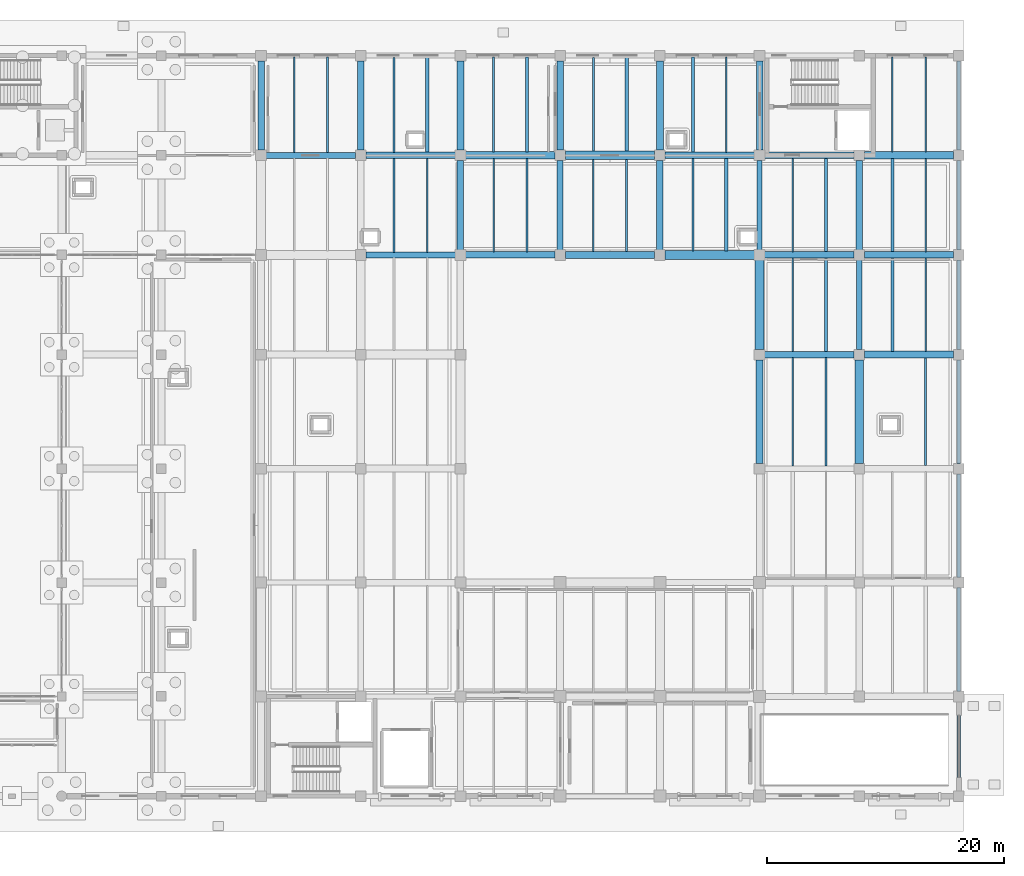
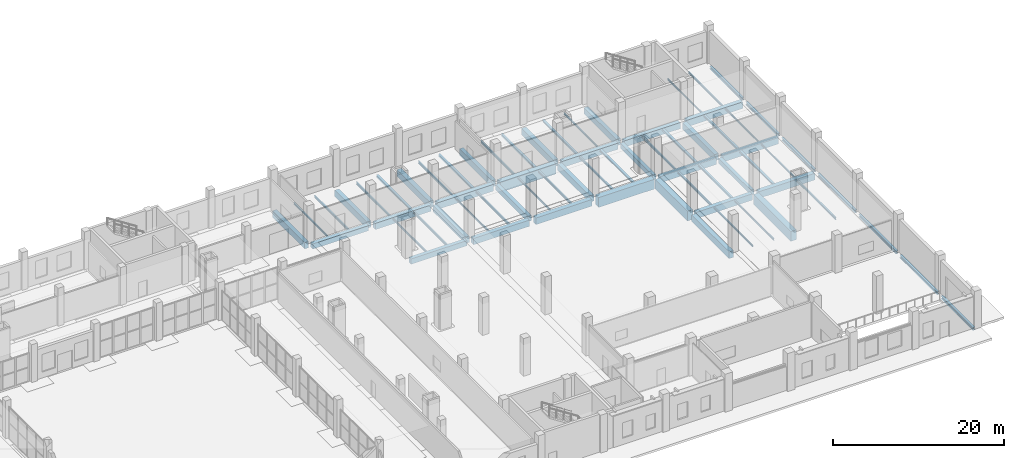
# One storey, part 28 of 65: 68 beams.
"""IFC4 building model written with IfcOpenShell, lengths in metres."""

from ifc_helpers import new_model, si_unit, direction, frame, origin, origin_2d, place, context, subcontext, project, spatial, rectangle, i_section, extrude, material, material_profile, profile_set, type_object, element, save


model = new_model("IFC4")

# Units and contexts
model_context = context("Model", 3, precision=1e-05, world=origin(), true_north=direction((0.0, 1.0)))
body_context = subcontext(model_context, "Body", "Model", "MODEL_VIEW")
ifc_project = project(units=[si_unit("LENGTHUNIT", "METRE"), si_unit("AREAUNIT", "SQUARE_METRE"), si_unit("VOLUMEUNIT", "CUBIC_METRE"), si_unit("PLANEANGLEUNIT", "RADIAN"), si_unit("MASSUNIT", "GRAM", prefix="KILO")], contexts=[model_context])

# Site, building, storey
site_placement = place(None, origin())
site = spatial("IfcSite", under=ifc_project, at=site_placement, CompositionType="ELEMENT")
building_placement = place(site_placement, origin())
building = spatial("IfcBuilding", under=site, at=building_placement, Name="Zulmaris Art Gallery", CompositionType="ELEMENT")
storey_placement = place(building_placement, origin())
storey = spatial("IfcBuildingStorey", under=building, at=storey_placement, Name="L00", CompositionType="ELEMENT", Elevation=0.0)

# Beams
ifc_material_1 = material(Name="Concrete C40/50", Category="concrete")
ifc_material_profile_1 = material_profile(ifc_material_1, rectangle(XDim=0.449951171875, YDim=0.699951171875, at=origin_2d()), Name="RC 450x700")
ifc_profile_set_1 = profile_set([ifc_material_profile_1], Name="Concrete C40/50")
beam_type_1 = type_object("IfcBeamType", Name="BEAM-BM19", PredefinedType="BEAM", material=ifc_profile_set_1)
beam_1_placement = place(storey_placement, frame((183.60009765625, 59.235107421875, -0.7548828125), z_axis=(0.0, 1.0, 0.0), x_axis=(-1.0, 0.0, 0.0)))
element("IfcBeam", 1, at=beam_1_placement, inside=storey, type_object=beam_type_1, Name="L00 Y-girder (x=183.6, 58.8..67.2)", PredefinedType="BEAM", context=body_context, shape_type="SweptSolid", body=[
    extrude(rectangle(XDim=0.449951171875, YDim=0.699951171875, at=origin_2d()), origin(), (0.0, 0.0, 1.0), 7.52978515625),
])
beam_2_placement = place(storey_placement, frame((192.0, 50.8349609375, -0.7548828125), z_axis=(0.0, 1.0, 0.0), x_axis=(-1.0, 0.0, 0.0)))
element("IfcBeam", 2, at=beam_2_placement, inside=storey, type_object=beam_type_1, Name="L00 Y-girder (x=192.0, 50.4..58.8)", PredefinedType="BEAM", context=body_context, shape_type="SweptSolid", body=[
    extrude(rectangle(XDim=0.449951171875, YDim=0.699951171875, at=origin_2d()), origin(), (0.0, 0.0, 1.0), 7.530029296875),
])
ifc_material_profile_2 = material_profile(ifc_material_1, rectangle(XDim=0.5, YDim=0.75, at=origin_2d()), Name="RC 500x750")
ifc_profile_set_2 = profile_set([ifc_material_profile_2], Name="Concrete C40/50")
beam_type_2 = type_object("IfcBeamType", Name="BEAM-BM20", PredefinedType="BEAM", material=ifc_profile_set_2)
for number, where, z_axis, x_axis, name in (
    (3, (150.43505859375, 58.800048828125, -0.780029296875), (1.0, 0.0, 0.0), (0.0, 1.0, 0.0), "L00 X-girder (150.0..158.4, y=58.8)"),
    (4, (142.034912109375, 67.199951171875, -0.780029296875), (1.0, 0.0, 0.0), (0.0, 1.0, 0.0), "L00 X-girder (141.6..150.0, y=67.2)"),
):
    element("IfcBeam", number, at=place(storey_placement, frame(where, z_axis=z_axis, x_axis=x_axis)), inside=storey, type_object=beam_type_2, Name=name, PredefinedType="BEAM", context=body_context, shape_type="SweptSolid", body=[
        extrude(rectangle(XDim=0.5, YDim=0.75, at=origin_2d()), origin(), (0.0, 0.0, 1.0), 7.530029296875),
    ])
beam_3_placement = place(storey_placement, frame((166.800048828125, 59.235107421875, -0.780029296875), z_axis=(0.0, 1.0, 0.0), x_axis=(-1.0, 0.0, 0.0)))
element("IfcBeam", 5, at=beam_3_placement, inside=storey, type_object=beam_type_2, Name="L00 Y-girder (x=166.8, 58.8..67.2)", PredefinedType="BEAM", context=body_context, shape_type="SweptSolid", body=[
    extrude(rectangle(XDim=0.5, YDim=0.75, at=origin_2d()), origin(), (0.0, 0.0, 1.0), 7.52978515625),
])
ifc_material_profile_3 = material_profile(ifc_material_1, rectangle(XDim=0.550048828125, YDim=0.89990234375, at=origin_2d()), Name="RC 550x900")
ifc_profile_set_3 = profile_set([ifc_material_profile_3], Name="Concrete C40/50")
beam_type_3 = type_object("IfcBeamType", Name="BEAM-BM21", PredefinedType="BEAM", material=ifc_profile_set_3)
for number, where, z_axis, x_axis, name in (
    (6, (184.034912109375, 50.39990234375, -0.860107421875), (1.0, 0.0, 0.0), (0.0, 1.0, 0.0), "L00 X-girder (183.6..192.0, y=50.4)"),
    (7, (158.8349609375, 58.800048828125, -0.860107421875), (1.0, 0.0, 0.0), (0.0, 1.0, 0.0), "L00 X-girder (158.4..166.8, y=58.8)"),
    (8, (184.034912109375, 58.800048828125, -0.85498046875), (1.0, 0.0, 0.0), (0.0, 1.0, 0.0), "L00 X-girder (183.6..192.0, y=58.8)"),
    (9, (192.43505859375, 58.800048828125, -0.860107421875), (1.0, 0.0, 0.0), (0.0, 1.0, 0.0), "L00 X-girder (192.0..200.4, y=58.8)"),
    (10, (150.43505859375, 67.199951171875, -0.860107421875), (1.0, 0.0, 0.0), (0.0, 1.0, 0.0), "L00 X-girder (150.0..158.4, y=67.2)"),
    (11, (175.635009765625, 67.199951171875, -0.85498046875), (1.0, 0.0, 0.0), (0.0, 1.0, 0.0), "L00 X-girder (175.2..183.6, y=67.2)"),
    (12, (184.034912109375, 67.199951171875, -0.860107421875), (1.0, 0.0, 0.0), (0.0, 1.0, 0.0), "L00 X-girder (183.6..192.0, y=67.2)"),
    (13, (141.60009765625, 67.635009765625, -0.85498046875), (0.0, 1.0, 0.0), (-1.0, 0.0, 0.0), "L00 Y-girder (x=141.6, 67.2..75.6)"),
    (14, (150.0, 67.635009765625, -0.860107421875), (0.0, 1.0, 0.0), (-1.0, 0.0, 0.0), "L00 Y-girder (x=150.0, 67.2..75.6)"),
):
    element("IfcBeam", number, at=place(storey_placement, frame(where, z_axis=z_axis, x_axis=x_axis)), inside=storey, type_object=beam_type_3, Name=name, PredefinedType="BEAM", context=body_context, shape_type="SweptSolid", body=[
        extrude(rectangle(XDim=0.550048828125, YDim=0.89990234375, at=origin_2d()), origin(), (0.0, 0.0, 1.0), 7.530029296875),
    ])
beam_4_placement = place(storey_placement, frame((158.39990234375, 59.235107421875, -0.860107421875), z_axis=(0.0, 1.0, 0.0), x_axis=(-1.0, 0.0, 0.0)))
element("IfcBeam", 15, at=beam_4_placement, inside=storey, type_object=beam_type_3, Name="L00 Y-girder (x=158.4, 58.8..67.2)", PredefinedType="BEAM", context=body_context, shape_type="SweptSolid", body=[
    extrude(rectangle(XDim=0.550048828125, YDim=0.89990234375, at=origin_2d()), origin(), (0.0, 0.0, 1.0), 7.52978515625),
])
beam_5_placement = place(storey_placement, frame((166.800048828125, 67.635009765625, -0.860107421875), z_axis=(0.0, 1.0, 0.0), x_axis=(-1.0, 0.0, 0.0)))
element("IfcBeam", 16, at=beam_5_placement, inside=storey, type_object=beam_type_3, Name="L00 Y-girder (x=166.8, 67.2..75.6)", PredefinedType="BEAM", context=body_context, shape_type="SweptSolid", body=[
    extrude(rectangle(XDim=0.550048828125, YDim=0.89990234375, at=origin_2d()), origin(), (0.0, 0.0, 1.0), 7.530029296875),
])
beam_6_placement = place(storey_placement, frame((175.199951171875, 59.235107421875, -0.860107421875), z_axis=(0.0, 1.0, 0.0), x_axis=(-1.0, 0.0, 0.0)))
element("IfcBeam", 17, at=beam_6_placement, inside=storey, type_object=beam_type_3, Name="L00 Y-girder (x=175.2, 58.8..67.2)", PredefinedType="BEAM", context=body_context, shape_type="SweptSolid", body=[
    extrude(rectangle(XDim=0.550048828125, YDim=0.89990234375, at=origin_2d()), origin(), (0.0, 0.0, 1.0), 7.52978515625),
])
beam_7_placement = place(storey_placement, frame((183.60009765625, 67.635009765625, -0.860107421875), z_axis=(0.0, 1.0, 0.0), x_axis=(-1.0, 0.0, 0.0)))
element("IfcBeam", 18, at=beam_7_placement, inside=storey, type_object=beam_type_3, Name="L00 Y-girder (x=183.6, 67.2..75.6)", PredefinedType="BEAM", context=body_context, shape_type="SweptSolid", body=[
    extrude(rectangle(XDim=0.550048828125, YDim=0.89990234375, at=origin_2d()), origin(), (0.0, 0.0, 1.0), 7.530029296875),
])
beam_8_placement = place(storey_placement, frame((192.0, 59.235107421875, -0.860107421875), z_axis=(0.0, 1.0, 0.0), x_axis=(-1.0, 0.0, 0.0)))
element("IfcBeam", 19, at=beam_8_placement, inside=storey, type_object=beam_type_3, Name="L00 Y-girder (x=192.0, 58.8..67.2)", PredefinedType="BEAM", context=body_context, shape_type="SweptSolid", body=[
    extrude(rectangle(XDim=0.550048828125, YDim=0.89990234375, at=origin_2d()), origin(), (0.0, 0.0, 1.0), 7.52978515625),
])
ifc_material_profile_4 = material_profile(ifc_material_1, rectangle(XDim=0.60009765625, YDim=0.949951171875, at=origin_2d()), Name="RC 600x950")
ifc_profile_set_4 = profile_set([ifc_material_profile_4], Name="Concrete C40/50")
beam_type_4 = type_object("IfcBeamType", Name="BEAM-BM22", PredefinedType="BEAM", material=ifc_profile_set_4)
beam_9_placement = place(storey_placement, frame((192.43505859375, 50.39990234375, -0.885009765625), z_axis=(1.0, 0.0, 0.0), x_axis=(0.0, 1.0, 0.0)))
element("IfcBeam", 20, at=beam_9_placement, inside=storey, type_object=beam_type_4, Name="L00 X-girder (192.0..200.4, y=50.4)", PredefinedType="BEAM", context=body_context, shape_type="SweptSolid", body=[
    extrude(rectangle(XDim=0.60009765625, YDim=0.949951171875, at=origin_2d()), origin(), (0.0, 0.0, 1.0), 7.530029296875),
])
beam_10_placement = place(storey_placement, frame((167.235107421875, 58.800048828125, -0.885009765625), z_axis=(1.0, 0.0, 0.0), x_axis=(0.0, 1.0, 0.0)))
element("IfcBeam", 21, at=beam_10_placement, inside=storey, type_object=beam_type_4, Name="L00 X-girder (166.8..175.2, y=58.8)", PredefinedType="BEAM", context=body_context, shape_type="SweptSolid", body=[
    extrude(rectangle(XDim=0.60009765625, YDim=0.949951171875, at=origin_2d()), origin(), (0.0, 0.0, 1.0), 7.52978515625),
])
for number, where, z_axis, x_axis, name in (
    (22, (158.8349609375, 67.199951171875, -0.885009765625), (1.0, 0.0, 0.0), (0.0, 1.0, 0.0), "L00 X-girder (158.4..166.8, y=67.2)"),
    (23, (192.43505859375, 67.199951171875, -0.885009765625), (1.0, 0.0, 0.0), (0.0, 1.0, 0.0), "L00 X-girder (192.0..200.4, y=67.2)"),
    (24, (158.39990234375, 67.635009765625, -0.885009765625), (0.0, 1.0, 0.0), (-1.0, 0.0, 0.0), "L00 Y-girder (x=158.4, 67.2..75.6)"),
    (25, (175.199951171875, 67.635009765625, -0.885009765625), (0.0, 1.0, 0.0), (-1.0, 0.0, 0.0), "L00 Y-girder (x=175.2, 67.2..75.6)"),
):
    element("IfcBeam", number, at=place(storey_placement, frame(where, z_axis=z_axis, x_axis=x_axis)), inside=storey, type_object=beam_type_4, Name=name, PredefinedType="BEAM", context=body_context, shape_type="SweptSolid", body=[
        extrude(rectangle(XDim=0.60009765625, YDim=0.949951171875, at=origin_2d()), origin(), (0.0, 0.0, 1.0), 7.530029296875),
    ])
beam_11_placement = place(storey_placement, frame((183.60009765625, 41.235107421875, -0.885009765625), z_axis=(0.0, 1.0, 0.0), x_axis=(-1.0, 0.0, 0.0)))
element("IfcBeam", 26, at=beam_11_placement, inside=storey, type_object=beam_type_4, Name="L00 Y-girder (x=183.6, 40.8..50.4)", PredefinedType="BEAM", context=body_context, shape_type="SweptSolid", body=[
    extrude(rectangle(XDim=0.60009765625, YDim=0.949951171875, at=origin_2d()), origin(), (0.0, 0.0, 1.0), 8.72998046875),
])
ifc_material_2 = material(Name="Concrete C50/60", Category="concrete")
ifc_material_profile_5 = material_profile(ifc_material_2, rectangle(XDim=0.75, YDim=1.39990234375, at=origin_2d()), Name="RC 750x1400")
ifc_profile_set_5 = profile_set([ifc_material_profile_5], Name="Concrete C50/60")
beam_type_5 = type_object("IfcBeamType", Name="BEAM-BM23", PredefinedType="BEAM", material=ifc_profile_set_5)
beam_12_placement = place(storey_placement, frame((175.635009765625, 58.800048828125, -1.110107421875), z_axis=(1.0, 0.0, 0.0), x_axis=(0.0, 1.0, 0.0)))
element("IfcBeam", 27, at=beam_12_placement, inside=storey, type_object=beam_type_5, Name="L00 X-girder (175.2..183.6, y=58.8)", PredefinedType="BEAM", context=body_context, shape_type="SweptSolid", body=[
    extrude(rectangle(XDim=0.75, YDim=1.39990234375, at=origin_2d()), origin(), (0.0, 0.0, 1.0), 7.530029296875),
])
beam_13_placement = place(storey_placement, frame((167.235107421875, 67.199951171875, -1.110107421875), z_axis=(1.0, 0.0, 0.0), x_axis=(0.0, 1.0, 0.0)))
element("IfcBeam", 28, at=beam_13_placement, inside=storey, type_object=beam_type_5, Name="L00 X-girder (166.8..175.2, y=67.2)", PredefinedType="BEAM", context=body_context, shape_type="SweptSolid", body=[
    extrude(rectangle(XDim=0.75, YDim=1.39990234375, at=origin_2d()), origin(), (0.0, 0.0, 1.0), 7.52978515625),
])
beam_14_placement = place(storey_placement, frame((183.60009765625, 50.8349609375, -1.110107421875), z_axis=(0.0, 1.0, 0.0), x_axis=(-1.0, 0.0, 0.0)))
element("IfcBeam", 29, at=beam_14_placement, inside=storey, type_object=beam_type_5, Name="L00 Y-girder (x=183.6, 50.4..58.8)", PredefinedType="BEAM", context=body_context, shape_type="SweptSolid", body=[
    extrude(rectangle(XDim=0.75, YDim=1.39990234375, at=origin_2d()), origin(), (0.0, 0.0, 1.0), 7.530029296875),
])
beam_15_placement = place(storey_placement, frame((192.0, 41.235107421875, -1.110107421875), z_axis=(0.0, 1.0, 0.0), x_axis=(-1.0, 0.0, 0.0)))
element("IfcBeam", 30, at=beam_15_placement, inside=storey, type_object=beam_type_5, Name="L00 Y-girder (x=192.0, 40.8..50.4)", PredefinedType="BEAM", context=body_context, shape_type="SweptSolid", body=[
    extrude(rectangle(XDim=0.75, YDim=1.39990234375, at=origin_2d()), origin(), (0.0, 0.0, 1.0), 8.72998046875),
])
ifc_material_3 = material(Name="Steel S355J2", Category="steel")
ifc_material_profile_6 = material_profile(ifc_material_3, i_section(OverallWidth=0.1201171875, OverallDepth=0.239990234375, WebThickness=0.006103515625, FlangeThickness=0.009765625, FilletRadius=0.014892578125, at=origin_2d()), Name="IPE 240")
ifc_profile_set_6 = profile_set([ifc_material_profile_6], Name="Steel S355J2")
beam_type_6 = type_object("IfcBeamType", Name="BEAM-JS01", PredefinedType="JOIST", material=ifc_profile_set_6)
beam_16_placement = place(storey_placement, frame((180.800048828125, 67.449951171875, -0.530029296875), z_axis=(0.0, 1.0, 0.0), x_axis=(-1.0, 0.0, 0.0)))
element("IfcBeam", 31, at=beam_16_placement, inside=storey, type_object=beam_type_6, Name="L00 secondary joist at x=180.8", PredefinedType="JOIST", context=body_context, shape_type="SweptSolid", body=[
    extrude(i_section(OverallWidth=0.1201171875, OverallDepth=0.239990234375, WebThickness=0.006103515625, FlangeThickness=0.009765625, FilletRadius=0.014892578125, at=origin_2d()), origin(), (0.0, 0.0, 1.0), 8.025146484375),
])
beam_17_placement = place(storey_placement, frame((186.39990234375, 41.0, -0.530029296875), z_axis=(0.0, 1.0, 0.0), x_axis=(-1.0, 0.0, 0.0)))
element("IfcBeam", 32, at=beam_17_placement, inside=storey, type_object=beam_type_6, Name="L00 secondary joist at x=186.4", PredefinedType="JOIST", context=body_context, shape_type="SweptSolid", body=[
    extrude(i_section(OverallWidth=0.1201171875, OverallDepth=0.239990234375, WebThickness=0.006103515625, FlangeThickness=0.009765625, FilletRadius=0.014892578125, at=origin_2d()), origin(), (0.0, 0.0, 1.0), 9.14990234375),
])
for number, where, z_axis, x_axis, name in (
    (33, (197.60009765625, 50.675048828125, -0.530029296875), (0.0, 1.0, 0.0), (-1.0, 0.0, 0.0), "L00 secondary joist at x=197.6"),
    (34, (197.60009765625, 59.050048828125, -0.530029296875), (0.0, 1.0, 0.0), (-1.0, 0.0, 0.0), "L00 secondary joist at x=197.6"),
):
    element("IfcBeam", number, at=place(storey_placement, frame(where, z_axis=z_axis, x_axis=x_axis)), inside=storey, type_object=beam_type_6, Name=name, PredefinedType="JOIST", context=body_context, shape_type="SweptSolid", body=[
        extrude(i_section(OverallWidth=0.1201171875, OverallDepth=0.239990234375, WebThickness=0.006103515625, FlangeThickness=0.009765625, FilletRadius=0.014892578125, at=origin_2d()), origin(), (0.0, 0.0, 1.0), 7.875),
    ])
beam_18_placement = place(storey_placement, frame((194.800048828125, 67.47509765625, -0.530029296875), z_axis=(0.0, 1.0, 0.0), x_axis=(-1.0, 0.0, 0.0)))
element("IfcBeam", 35, at=beam_18_placement, inside=storey, type_object=beam_type_6, Name="L00 secondary joist at x=194.8", PredefinedType="JOIST", context=body_context, shape_type="SweptSolid", body=[
    extrude(i_section(OverallWidth=0.1201171875, OverallDepth=0.239990234375, WebThickness=0.006103515625, FlangeThickness=0.009765625, FilletRadius=0.014892578125, at=origin_2d()), origin(), (0.0, 0.0, 1.0), 8.0),
])
ifc_material_profile_7 = material_profile(ifc_material_3, i_section(OverallWidth=0.135009765625, OverallDepth=0.27001953125, WebThickness=0.006591796875, FlangeThickness=0.01025390625, FilletRadius=0.014892578125, at=origin_2d()), Name="IPE 270")
ifc_profile_set_7 = profile_set([ifc_material_profile_7], Name="Steel S355J2")
beam_type_7 = type_object("IfcBeamType", Name="BEAM-JS02", PredefinedType="JOIST", material=ifc_profile_set_7)
beam_19_placement = place(storey_placement, frame((144.39990234375, 67.425048828125, -0.544921875), z_axis=(0.0, 1.0, 0.0), x_axis=(-1.0, 0.0, 0.0)))
element("IfcBeam", 36, at=beam_19_placement, inside=storey, type_object=beam_type_7, Name="L00 secondary joist at x=144.4", PredefinedType="JOIST", context=body_context, shape_type="SweptSolid", body=[
    extrude(i_section(OverallWidth=0.135009765625, OverallDepth=0.27001953125, WebThickness=0.006591796875, FlangeThickness=0.01025390625, FilletRadius=0.014892578125, at=origin_2d()), origin(), (0.0, 0.0, 1.0), 8.050048828125),
])
beam_20_placement = place(storey_placement, frame((152.800048828125, 59.02490234375, -0.544921875), z_axis=(0.0, 1.0, 0.0), x_axis=(-1.0, 0.0, 0.0)))
element("IfcBeam", 37, at=beam_20_placement, inside=storey, type_object=beam_type_7, Name="L00 secondary joist at x=152.8", PredefinedType="JOIST", context=body_context, shape_type="SweptSolid", body=[
    extrude(i_section(OverallWidth=0.135009765625, OverallDepth=0.27001953125, WebThickness=0.006591796875, FlangeThickness=0.01025390625, FilletRadius=0.014892578125, at=origin_2d()), origin(), (0.0, 0.0, 1.0), 7.925048828125),
])
beam_21_placement = place(storey_placement, frame((161.199951171875, 59.050048828125, -0.544921875), z_axis=(0.0, 1.0, 0.0), x_axis=(-1.0, 0.0, 0.0)))
element("IfcBeam", 38, at=beam_21_placement, inside=storey, type_object=beam_type_7, Name="L00 secondary joist at x=161.2", PredefinedType="JOIST", context=body_context, shape_type="SweptSolid", body=[
    extrude(i_section(OverallWidth=0.135009765625, OverallDepth=0.27001953125, WebThickness=0.006591796875, FlangeThickness=0.01025390625, FilletRadius=0.014892578125, at=origin_2d()), origin(), (0.0, 0.0, 1.0), 7.875),
])
beam_22_placement = place(storey_placement, frame((169.60009765625, 59.074951171875, -0.544921875), z_axis=(0.0, 1.0, 0.0), x_axis=(-1.0, 0.0, 0.0)))
element("IfcBeam", 39, at=beam_22_placement, inside=storey, type_object=beam_type_7, Name="L00 secondary joist at x=169.6", PredefinedType="JOIST", context=body_context, shape_type="SweptSolid", body=[
    extrude(i_section(OverallWidth=0.135009765625, OverallDepth=0.27001953125, WebThickness=0.006591796875, FlangeThickness=0.01025390625, FilletRadius=0.014892578125, at=origin_2d()), origin(), (0.0, 0.0, 1.0), 7.775146484375),
])
beam_23_placement = place(storey_placement, frame((189.199951171875, 41.0, -0.544921875), z_axis=(0.0, 1.0, 0.0), x_axis=(-1.0, 0.0, 0.0)))
element("IfcBeam", 40, at=beam_23_placement, inside=storey, type_object=beam_type_7, Name="L00 secondary joist at x=189.2", PredefinedType="JOIST", context=body_context, shape_type="SweptSolid", body=[
    extrude(i_section(OverallWidth=0.135009765625, OverallDepth=0.27001953125, WebThickness=0.006591796875, FlangeThickness=0.01025390625, FilletRadius=0.014892578125, at=origin_2d()), origin(), (0.0, 0.0, 1.0), 9.14990234375),
])
beam_24_placement = place(storey_placement, frame((197.60009765625, 67.47509765625, -0.544921875), z_axis=(0.0, 1.0, 0.0), x_axis=(-1.0, 0.0, 0.0)))
element("IfcBeam", 41, at=beam_24_placement, inside=storey, type_object=beam_type_7, Name="L00 secondary joist at x=197.6", PredefinedType="JOIST", context=body_context, shape_type="SweptSolid", body=[
    extrude(i_section(OverallWidth=0.135009765625, OverallDepth=0.27001953125, WebThickness=0.006591796875, FlangeThickness=0.01025390625, FilletRadius=0.014892578125, at=origin_2d()), origin(), (0.0, 0.0, 1.0), 8.0),
])
ifc_material_profile_8 = material_profile(ifc_material_3, i_section(OverallWidth=0.159912109375, OverallDepth=0.330078125, WebThickness=0.007568359375, FlangeThickness=0.011474609375, FilletRadius=0.01806640625, at=origin_2d()), Name="IPE 330")
ifc_profile_set_8 = profile_set([ifc_material_profile_8], Name="Steel S355J2")
beam_type_8 = type_object("IfcBeamType", Name="BEAM-JS03", PredefinedType="JOIST", material=ifc_profile_set_8)
beam_25_placement = place(storey_placement, frame((147.199951171875, 67.425048828125, -0.574951171875), z_axis=(0.0, 1.0, 0.0), x_axis=(-1.0, 0.0, 0.0)))
element("IfcBeam", 42, at=beam_25_placement, inside=storey, type_object=beam_type_8, Name="L00 secondary joist at x=147.2", PredefinedType="JOIST", context=body_context, shape_type="SweptSolid", body=[
    extrude(i_section(OverallWidth=0.159912109375, OverallDepth=0.330078125, WebThickness=0.007568359375, FlangeThickness=0.011474609375, FilletRadius=0.01806640625, at=origin_2d()), origin(), (0.0, 0.0, 1.0), 8.050048828125),
])
beam_26_placement = place(storey_placement, frame((155.60009765625, 59.02490234375, -0.574951171875), z_axis=(0.0, 1.0, 0.0), x_axis=(-1.0, 0.0, 0.0)))
element("IfcBeam", 43, at=beam_26_placement, inside=storey, type_object=beam_type_8, Name="L00 secondary joist at x=155.6", PredefinedType="JOIST", context=body_context, shape_type="SweptSolid", body=[
    extrude(i_section(OverallWidth=0.159912109375, OverallDepth=0.330078125, WebThickness=0.007568359375, FlangeThickness=0.011474609375, FilletRadius=0.01806640625, at=origin_2d()), origin(), (0.0, 0.0, 1.0), 7.925048828125),
])
beam_27_placement = place(storey_placement, frame((152.800048828125, 67.449951171875, -0.574951171875), z_axis=(0.0, 1.0, 0.0), x_axis=(-1.0, 0.0, 0.0)))
element("IfcBeam", 44, at=beam_27_placement, inside=storey, type_object=beam_type_8, Name="L00 secondary joist at x=152.8", PredefinedType="JOIST", context=body_context, shape_type="SweptSolid", body=[
    extrude(i_section(OverallWidth=0.159912109375, OverallDepth=0.330078125, WebThickness=0.007568359375, FlangeThickness=0.011474609375, FilletRadius=0.01806640625, at=origin_2d()), origin(), (0.0, 0.0, 1.0), 7.97509765625),
])
beam_28_placement = place(storey_placement, frame((164.0, 59.050048828125, -0.574951171875), z_axis=(0.0, 1.0, 0.0), x_axis=(-1.0, 0.0, 0.0)))
element("IfcBeam", 45, at=beam_28_placement, inside=storey, type_object=beam_type_8, Name="L00 secondary joist at x=164.0", PredefinedType="JOIST", context=body_context, shape_type="SweptSolid", body=[
    extrude(i_section(OverallWidth=0.159912109375, OverallDepth=0.330078125, WebThickness=0.007568359375, FlangeThickness=0.011474609375, FilletRadius=0.01806640625, at=origin_2d()), origin(), (0.0, 0.0, 1.0), 7.875),
])
beam_29_placement = place(storey_placement, frame((161.199951171875, 67.47509765625, -0.574951171875), z_axis=(0.0, 1.0, 0.0), x_axis=(-1.0, 0.0, 0.0)))
element("IfcBeam", 46, at=beam_29_placement, inside=storey, type_object=beam_type_8, Name="L00 secondary joist at x=161.2", PredefinedType="JOIST", context=body_context, shape_type="SweptSolid", body=[
    extrude(i_section(OverallWidth=0.159912109375, OverallDepth=0.330078125, WebThickness=0.007568359375, FlangeThickness=0.011474609375, FilletRadius=0.01806640625, at=origin_2d()), origin(), (0.0, 0.0, 1.0), 8.0),
])
beam_30_placement = place(storey_placement, frame((172.39990234375, 59.074951171875, -0.574951171875), z_axis=(0.0, 1.0, 0.0), x_axis=(-1.0, 0.0, 0.0)))
element("IfcBeam", 47, at=beam_30_placement, inside=storey, type_object=beam_type_8, Name="L00 secondary joist at x=172.4", PredefinedType="JOIST", context=body_context, shape_type="SweptSolid", body=[
    extrude(i_section(OverallWidth=0.159912109375, OverallDepth=0.330078125, WebThickness=0.007568359375, FlangeThickness=0.011474609375, FilletRadius=0.01806640625, at=origin_2d()), origin(), (0.0, 0.0, 1.0), 7.775146484375),
])
beam_31_placement = place(storey_placement, frame((169.60009765625, 67.550048828125, -0.574951171875), z_axis=(0.0, 1.0, 0.0), x_axis=(-1.0, 0.0, 0.0)))
element("IfcBeam", 48, at=beam_31_placement, inside=storey, type_object=beam_type_8, Name="L00 secondary joist at x=169.6", PredefinedType="JOIST", context=body_context, shape_type="SweptSolid", body=[
    extrude(i_section(OverallWidth=0.159912109375, OverallDepth=0.330078125, WebThickness=0.007568359375, FlangeThickness=0.011474609375, FilletRadius=0.01806640625, at=origin_2d()), origin(), (0.0, 0.0, 1.0), 7.875),
])
beam_32_placement = place(storey_placement, frame((178.0, 59.14990234375, -0.574951171875), z_axis=(0.0, 1.0, 0.0), x_axis=(-1.0, 0.0, 0.0)))
element("IfcBeam", 49, at=beam_32_placement, inside=storey, type_object=beam_type_8, Name="L00 secondary joist at x=178.0", PredefinedType="JOIST", context=body_context, shape_type="SweptSolid", body=[
    extrude(i_section(OverallWidth=0.159912109375, OverallDepth=0.330078125, WebThickness=0.007568359375, FlangeThickness=0.011474609375, FilletRadius=0.01806640625, at=origin_2d()), origin(), (0.0, 0.0, 1.0), 7.800048828125),
])
beam_33_placement = place(storey_placement, frame((186.39990234375, 50.64990234375, -0.574951171875), z_axis=(0.0, 1.0, 0.0), x_axis=(-1.0, 0.0, 0.0)))
element("IfcBeam", 50, at=beam_33_placement, inside=storey, type_object=beam_type_8, Name="L00 secondary joist at x=186.4", PredefinedType="JOIST", context=body_context, shape_type="SweptSolid", body=[
    extrude(i_section(OverallWidth=0.159912109375, OverallDepth=0.330078125, WebThickness=0.007568359375, FlangeThickness=0.011474609375, FilletRadius=0.01806640625, at=origin_2d()), origin(), (0.0, 0.0, 1.0), 7.900146484375),
])
beam_34_placement = place(storey_placement, frame((186.39990234375, 59.050048828125, -0.574951171875), z_axis=(0.0, 1.0, 0.0), x_axis=(-1.0, 0.0, 0.0)))
element("IfcBeam", 51, at=beam_34_placement, inside=storey, type_object=beam_type_8, Name="L00 secondary joist at x=186.4", PredefinedType="JOIST", context=body_context, shape_type="SweptSolid", body=[
    extrude(i_section(OverallWidth=0.159912109375, OverallDepth=0.330078125, WebThickness=0.007568359375, FlangeThickness=0.011474609375, FilletRadius=0.01806640625, at=origin_2d()), origin(), (0.0, 0.0, 1.0), 7.89990234375),
])
beam_35_placement = place(storey_placement, frame((197.60009765625, 41.050048828125, -0.574951171875), z_axis=(0.0, 1.0, 0.0), x_axis=(-1.0, 0.0, 0.0)))
element("IfcBeam", 52, at=beam_35_placement, inside=storey, type_object=beam_type_8, Name="L00 secondary joist at x=197.6", PredefinedType="JOIST", context=body_context, shape_type="SweptSolid", body=[
    extrude(i_section(OverallWidth=0.159912109375, OverallDepth=0.330078125, WebThickness=0.007568359375, FlangeThickness=0.011474609375, FilletRadius=0.01806640625, at=origin_2d()), origin(), (0.0, 0.0, 1.0), 9.074951171875),
])
ifc_material_profile_9 = material_profile(ifc_material_3, i_section(OverallWidth=0.280029296875, OverallDepth=0.27001953125, WebThickness=0.008056640625, FlangeThickness=0.012939453125, FilletRadius=0.02392578125, at=origin_2d()), Name="HEA 280")
ifc_profile_set_9 = profile_set([ifc_material_profile_9], Name="Steel S355J2")
beam_type_9 = type_object("IfcBeamType", Name="BEAM-JS04", PredefinedType="JOIST", material=ifc_profile_set_9)
beam_36_placement = place(storey_placement, frame((155.60009765625, 67.449951171875, -0.544921875), z_axis=(0.0, 1.0, 0.0), x_axis=(-1.0, 0.0, 0.0)))
element("IfcBeam", 53, at=beam_36_placement, inside=storey, type_object=beam_type_9, Name="L00 secondary joist at x=155.6", PredefinedType="JOIST", context=body_context, shape_type="SweptSolid", body=[
    extrude(i_section(OverallWidth=0.280029296875, OverallDepth=0.27001953125, WebThickness=0.008056640625, FlangeThickness=0.012939453125, FilletRadius=0.02392578125, at=origin_2d()), origin(), (0.0, 0.0, 1.0), 7.97509765625),
])
beam_37_placement = place(storey_placement, frame((164.0, 67.47509765625, -0.544921875), z_axis=(0.0, 1.0, 0.0), x_axis=(-1.0, 0.0, 0.0)))
element("IfcBeam", 54, at=beam_37_placement, inside=storey, type_object=beam_type_9, Name="L00 secondary joist at x=164.0", PredefinedType="JOIST", context=body_context, shape_type="SweptSolid", body=[
    extrude(i_section(OverallWidth=0.280029296875, OverallDepth=0.27001953125, WebThickness=0.008056640625, FlangeThickness=0.012939453125, FilletRadius=0.02392578125, at=origin_2d()), origin(), (0.0, 0.0, 1.0), 8.0),
])
beam_38_placement = place(storey_placement, frame((172.39990234375, 67.550048828125, -0.544921875), z_axis=(0.0, 1.0, 0.0), x_axis=(-1.0, 0.0, 0.0)))
element("IfcBeam", 55, at=beam_38_placement, inside=storey, type_object=beam_type_9, Name="L00 secondary joist at x=172.4", PredefinedType="JOIST", context=body_context, shape_type="SweptSolid", body=[
    extrude(i_section(OverallWidth=0.280029296875, OverallDepth=0.27001953125, WebThickness=0.008056640625, FlangeThickness=0.012939453125, FilletRadius=0.02392578125, at=origin_2d()), origin(), (0.0, 0.0, 1.0), 7.875),
])
beam_39_placement = place(storey_placement, frame((180.800048828125, 59.14990234375, -0.544921875), z_axis=(0.0, 1.0, 0.0), x_axis=(-1.0, 0.0, 0.0)))
element("IfcBeam", 56, at=beam_39_placement, inside=storey, type_object=beam_type_9, Name="L00 secondary joist at x=180.8", PredefinedType="JOIST", context=body_context, shape_type="SweptSolid", body=[
    extrude(i_section(OverallWidth=0.280029296875, OverallDepth=0.27001953125, WebThickness=0.008056640625, FlangeThickness=0.012939453125, FilletRadius=0.02392578125, at=origin_2d()), origin(), (0.0, 0.0, 1.0), 7.800048828125),
])
beam_40_placement = place(storey_placement, frame((178.0, 67.449951171875, -0.544921875), z_axis=(0.0, 1.0, 0.0), x_axis=(-1.0, 0.0, 0.0)))
element("IfcBeam", 57, at=beam_40_placement, inside=storey, type_object=beam_type_9, Name="L00 secondary joist at x=178.0", PredefinedType="JOIST", context=body_context, shape_type="SweptSolid", body=[
    extrude(i_section(OverallWidth=0.280029296875, OverallDepth=0.27001953125, WebThickness=0.008056640625, FlangeThickness=0.012939453125, FilletRadius=0.02392578125, at=origin_2d()), origin(), (0.0, 0.0, 1.0), 8.025146484375),
])
beam_41_placement = place(storey_placement, frame((189.199951171875, 50.64990234375, -0.544921875), z_axis=(0.0, 1.0, 0.0), x_axis=(-1.0, 0.0, 0.0)))
element("IfcBeam", 58, at=beam_41_placement, inside=storey, type_object=beam_type_9, Name="L00 secondary joist at x=189.2", PredefinedType="JOIST", context=body_context, shape_type="SweptSolid", body=[
    extrude(i_section(OverallWidth=0.280029296875, OverallDepth=0.27001953125, WebThickness=0.008056640625, FlangeThickness=0.012939453125, FilletRadius=0.02392578125, at=origin_2d()), origin(), (0.0, 0.0, 1.0), 7.900146484375),
])
beam_42_placement = place(storey_placement, frame((189.199951171875, 59.050048828125, -0.544921875), z_axis=(0.0, 1.0, 0.0), x_axis=(-1.0, 0.0, 0.0)))
element("IfcBeam", 59, at=beam_42_placement, inside=storey, type_object=beam_type_9, Name="L00 secondary joist at x=189.2", PredefinedType="JOIST", context=body_context, shape_type="SweptSolid", body=[
    extrude(i_section(OverallWidth=0.280029296875, OverallDepth=0.27001953125, WebThickness=0.008056640625, FlangeThickness=0.012939453125, FilletRadius=0.02392578125, at=origin_2d()), origin(), (0.0, 0.0, 1.0), 7.89990234375),
])
for number, where, z_axis, x_axis, name in (
    (60, (194.800048828125, 50.675048828125, -0.544921875), (0.0, 1.0, 0.0), (-1.0, 0.0, 0.0), "L00 secondary joist at x=194.8"),
    (61, (194.800048828125, 59.050048828125, -0.544921875), (0.0, 1.0, 0.0), (-1.0, 0.0, 0.0), "L00 secondary joist at x=194.8"),
):
    element("IfcBeam", number, at=place(storey_placement, frame(where, z_axis=z_axis, x_axis=x_axis)), inside=storey, type_object=beam_type_9, Name=name, PredefinedType="JOIST", context=body_context, shape_type="SweptSolid", body=[
        extrude(i_section(OverallWidth=0.280029296875, OverallDepth=0.27001953125, WebThickness=0.008056640625, FlangeThickness=0.012939453125, FilletRadius=0.02392578125, at=origin_2d()), origin(), (0.0, 0.0, 1.0), 7.875),
    ])
ifc_material_profile_10 = material_profile(ifc_material_3, i_section(OverallWidth=0.300048828125, OverallDepth=0.39990234375, WebThickness=0.013427734375, FlangeThickness=0.02392578125, FilletRadius=0.027099609375, at=origin_2d()), Name="HEB 400")
ifc_profile_set_10 = profile_set([ifc_material_profile_10], Name="Steel S355J2")
beam_type_10 = type_object("IfcBeamType", Name="BEAM-SP02", PredefinedType="SPANDREL", material=ifc_profile_set_10)
beam_43_placement = place(storey_placement, frame((200.39990234375, 13.635009765625, -0.610107421875), z_axis=(0.0, 1.0, 0.0), x_axis=(-1.0, 0.0, 0.0)))
element("IfcBeam", 62, at=beam_43_placement, inside=storey, type_object=beam_type_10, Name="L00 Y-girder (x=200.4, 13.2..21.6)", PredefinedType="SPANDREL", context=body_context, shape_type="SweptSolid", body=[
    extrude(i_section(OverallWidth=0.300048828125, OverallDepth=0.39990234375, WebThickness=0.013427734375, FlangeThickness=0.02392578125, FilletRadius=0.027099609375, at=origin_2d()), origin(), (0.0, 0.0, 1.0), 7.530029296875),
])
for number, where, z_axis, x_axis, name in (
    (63, (200.39990234375, 22.034912109375, -0.610107421875), (0.0, 1.0, 0.0), (-1.0, 0.0, 0.0), "L00 Y-girder (x=200.4, 21.6..31.2)"),
    (64, (200.39990234375, 31.635009765625, -0.610107421875), (0.0, 1.0, 0.0), (-1.0, 0.0, 0.0), "L00 Y-girder (x=200.4, 31.2..40.8)"),
    (65, (200.39990234375, 41.235107421875, -0.610107421875), (0.0, 1.0, 0.0), (-1.0, 0.0, 0.0), "L00 Y-girder (x=200.4, 40.8..50.4)"),
):
    element("IfcBeam", number, at=place(storey_placement, frame(where, z_axis=z_axis, x_axis=x_axis)), inside=storey, type_object=beam_type_10, Name=name, PredefinedType="SPANDREL", context=body_context, shape_type="SweptSolid", body=[
        extrude(i_section(OverallWidth=0.300048828125, OverallDepth=0.39990234375, WebThickness=0.013427734375, FlangeThickness=0.02392578125, FilletRadius=0.027099609375, at=origin_2d()), origin(), (0.0, 0.0, 1.0), 8.72998046875),
    ])
beam_44_placement = place(storey_placement, frame((200.39990234375, 50.8349609375, -0.610107421875), z_axis=(0.0, 1.0, 0.0), x_axis=(-1.0, 0.0, 0.0)))
element("IfcBeam", 66, at=beam_44_placement, inside=storey, type_object=beam_type_10, Name="L00 Y-girder (x=200.4, 50.4..58.8)", PredefinedType="SPANDREL", context=body_context, shape_type="SweptSolid", body=[
    extrude(i_section(OverallWidth=0.300048828125, OverallDepth=0.39990234375, WebThickness=0.013427734375, FlangeThickness=0.02392578125, FilletRadius=0.027099609375, at=origin_2d()), origin(), (0.0, 0.0, 1.0), 7.530029296875),
])
beam_45_placement = place(storey_placement, frame((200.39990234375, 59.235107421875, -0.610107421875), z_axis=(0.0, 1.0, 0.0), x_axis=(-1.0, 0.0, 0.0)))
element("IfcBeam", 67, at=beam_45_placement, inside=storey, type_object=beam_type_10, Name="L00 Y-girder (x=200.4, 58.8..67.2)", PredefinedType="SPANDREL", context=body_context, shape_type="SweptSolid", body=[
    extrude(i_section(OverallWidth=0.300048828125, OverallDepth=0.39990234375, WebThickness=0.013427734375, FlangeThickness=0.02392578125, FilletRadius=0.027099609375, at=origin_2d()), origin(), (0.0, 0.0, 1.0), 7.52978515625),
])
beam_46_placement = place(storey_placement, frame((200.39990234375, 67.635009765625, -0.610107421875), z_axis=(0.0, 1.0, 0.0), x_axis=(-1.0, 0.0, 0.0)))
element("IfcBeam", 68, at=beam_46_placement, inside=storey, type_object=beam_type_10, Name="L00 Y-girder (x=200.4, 67.2..75.6)", PredefinedType="SPANDREL", context=body_context, shape_type="SweptSolid", body=[
    extrude(i_section(OverallWidth=0.300048828125, OverallDepth=0.39990234375, WebThickness=0.013427734375, FlangeThickness=0.02392578125, FilletRadius=0.027099609375, at=origin_2d()), origin(), (0.0, 0.0, 1.0), 7.530029296875),
])

save(model, "model.ifc")
